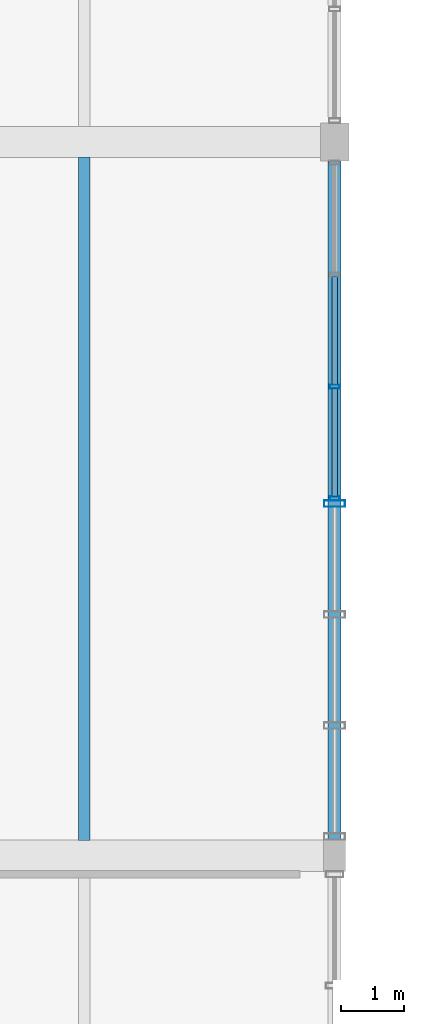
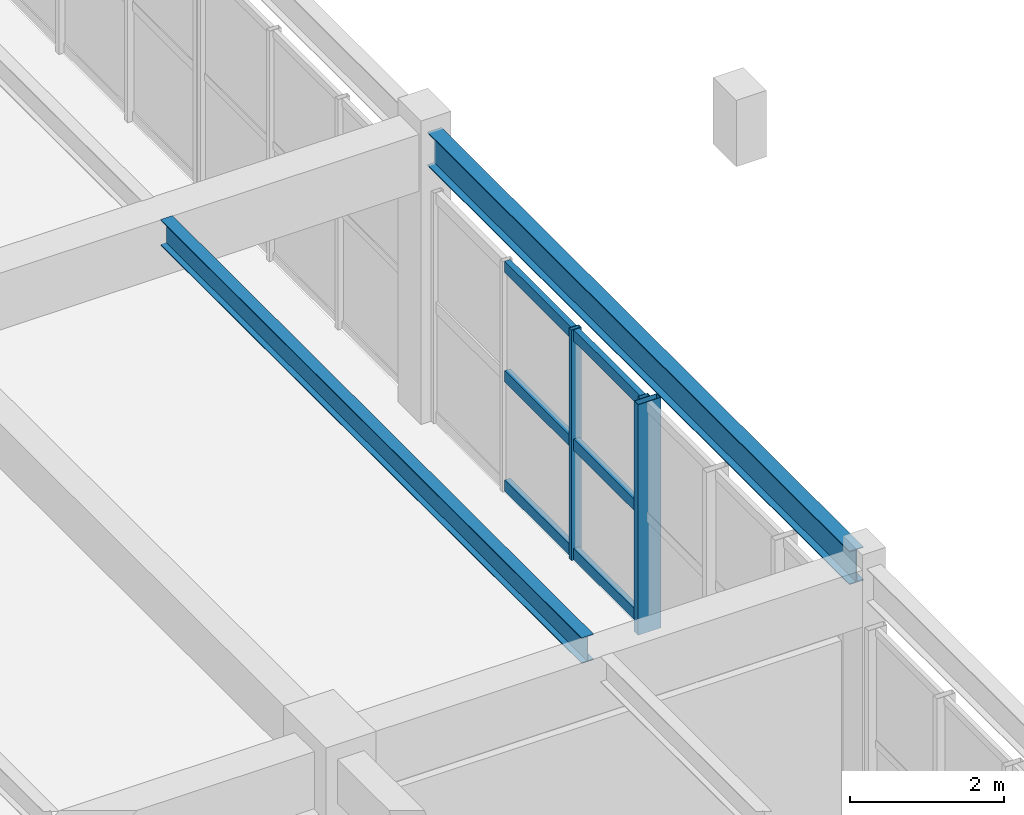
# One storey, part 23 of 106: 9 members, 2 beams, 2 elements without a shape of their own.
"""IFC4 building model written with IfcOpenShell, lengths in metres."""

from ifc_helpers import new_model, si_unit, direction, frame, origin, origin_2d, place, context, subcontext, project, spatial, hollow_rectangle, i_section, extrude, material, layer, layer_set, material_profile, profile_set, type_object, element, aggregate, save


model = new_model("IFC4")

# Units and contexts
model_context = context("Model", 3, precision=1e-05, world=origin(), true_north=direction((0.0, 1.0)))
body_context = subcontext(model_context, "Body", "Model", "MODEL_VIEW")
ifc_project = project(units=[si_unit("LENGTHUNIT", "METRE"), si_unit("AREAUNIT", "SQUARE_METRE"), si_unit("VOLUMEUNIT", "CUBIC_METRE"), si_unit("PLANEANGLEUNIT", "RADIAN"), si_unit("MASSUNIT", "GRAM", prefix="KILO"), si_unit("POWERUNIT", "WATT"), si_unit("THERMODYNAMICTEMPERATUREUNIT", "KELVIN")], contexts=[model_context])

# Site, building, storey
site_placement = place(None, origin())
site = spatial("IfcSite", under=ifc_project, at=site_placement, CompositionType="ELEMENT")
building_placement = place(site_placement, origin())
building = spatial("IfcBuilding", under=site, at=building_placement, Name="Kelmbourne Parkland Aquatics Centre", CompositionType="ELEMENT")
storey_placement = place(building_placement, frame((0.0, 0.0, 5.39990234375)))
storey = spatial("IfcBuildingStorey", under=building, at=storey_placement, Name="L01", CompositionType="ELEMENT", Elevation=5.39990234375)

# Beams
ifc_material_1 = material(Name="Structural steel AS/NZS 3679.1 Grade 300", Category="steel")
ifc_material_profile_1 = material_profile(ifc_material_1, i_section(OverallWidth=0.177978515625, OverallDepth=0.406005859375, WebThickness=0.0078125, FlangeThickness=0.0126953125, at=origin_2d()), Name="410UB59.7")
ifc_profile_set_1 = profile_set([ifc_material_profile_1], Name="Structural steel AS/NZS 3679.1 Grade 300")
beam_type_1 = type_object("IfcBeamType", Name="BM-J01", PredefinedType="JOIST", material=ifc_profile_set_1)
beam_1_placement = place(storey_placement, frame((36.0, 23.842041015625, 4.357177734375), z_axis=(0.0, 1.0, 0.0), x_axis=(-1.0, 0.0, 0.0)))
element("IfcBeam", 1, at=beam_1_placement, inside=storey, type_object=beam_type_1, Name="Secondary floor joist E-F/04-05 #1 (L02)", PredefinedType="JOIST", context=body_context, shape_type="SweptSolid", body=[
    extrude(i_section(OverallWidth=0.177978515625, OverallDepth=0.406005859375, WebThickness=0.0078125, FlangeThickness=0.0126953125, at=origin_2d()), origin(), (0.0, 0.0, 1.0), 10.916015625),
])
ifc_material_profile_2 = material_profile(ifc_material_1, i_section(OverallWidth=0.208984375, OverallDepth=0.532958984375, WebThickness=0.01025390625, FlangeThickness=0.015625, at=origin_2d()), Name="530UB92.4")
ifc_profile_set_2 = profile_set([ifc_material_profile_2], Name="Structural steel AS/NZS 3679.1 Grade 300")
beam_type_2 = type_object("IfcBeamType", Name="BM-SP02", PredefinedType="SPANDREL", material=ifc_profile_set_2)
beam_2_placement = place(storey_placement, frame((40.0, 23.804931640625, 4.293701171875), z_axis=(0.0, 1.0, 0.0), x_axis=(-1.0, 0.0, 0.0)))
element("IfcBeam", 2, at=beam_2_placement, inside=storey, type_object=beam_type_2, Name="Perimeter spandrel 04-05 Grid F (L02)", PredefinedType="SPANDREL", context=body_context, shape_type="SweptSolid", body=[
    extrude(i_section(OverallWidth=0.208984375, OverallDepth=0.532958984375, WebThickness=0.01025390625, FlangeThickness=0.015625, at=origin_2d()), origin(), (0.0, 0.0, 1.0), 10.940185546875),
])

# Curtain wall, members
ifc_material_2 = material(Name="Thermally broken anodised aluminium framing", Category="aluminium")
ifc_layer_1 = layer(ifc_material_2, 0.179931640625)
ifc_layer_set_1 = layer_set([ifc_layer_1], Name="Thermally broken anodised aluminium framing")
curtain_wall_type_1 = type_object("IfcCurtainWallType", Name="CW-14", PredefinedType="NOTDEFINED", material=ifc_layer_set_1)
curtain_wall_1_placement = place(storey_placement, origin())
curtain_wall_1 = element("IfcCurtainWall", 3, at=curtain_wall_1_placement, inside=storey, type_object=curtain_wall_type_1, Name="Facade curtain wall CW-L01-230", PredefinedType="NOTDEFINED")
ifc_material_profile_3 = material_profile(ifc_material_2, hollow_rectangle(XDim=0.06494140625, YDim=0.14990234375, WallThickness=0.00390625, at=origin_2d()), Name="CW-M 65x150")
ifc_profile_set_3 = profile_set([ifc_material_profile_3], Name="Thermally broken anodised aluminium framing")
member_type_1 = type_object("IfcMemberType", Name="MB-MUL-1", PredefinedType="MULLION", material=ifc_profile_set_3)
member_1_placement = place(storey_placement, frame((40.0, 29.3076171875, 0.0), z_axis=(0.0, 0.0, 1.0), x_axis=(0.0, 1.0, 0.0)))
member_1 = element("IfcMember", 4, at=member_1_placement, type_object=member_type_1, Name="CW-L01-230 mullion 0", PredefinedType="MULLION", context=body_context, shape_type="SweptSolid", body=[
    extrude(hollow_rectangle(XDim=0.06494140625, YDim=0.14990234375, WallThickness=0.00390625, at=origin_2d()), origin(), (0.0, 0.0, 1.0), 3.64501953125),
])
member_2_placement = place(storey_placement, frame((40.0, 31.093505859375, 0.0), z_axis=(0.0, 0.0, 1.0), x_axis=(0.0, 1.0, 0.0)))
member_2 = element("IfcMember", 5, at=member_2_placement, type_object=member_type_1, Name="CW-L01-230 mullion 1", PredefinedType="MULLION", context=body_context, shape_type="SweptSolid", body=[
    extrude(hollow_rectangle(XDim=0.06494140625, YDim=0.14990234375, WallThickness=0.00390625, at=origin_2d()), origin(), (0.0, 0.0, 1.0), 3.64501953125),
])

# Curtain wall, member
ifc_layer_2 = layer(ifc_material_2, 0.179931640625)
ifc_layer_set_2 = layer_set([ifc_layer_2], Name="Thermally broken anodised aluminium framing")
curtain_wall_type_2 = type_object("IfcCurtainWallType", Name="CW-13", PredefinedType="NOTDEFINED", material=ifc_layer_set_2)
curtain_wall_2_placement = place(storey_placement, origin())
curtain_wall_2 = element("IfcCurtainWall", 6, at=curtain_wall_2_placement, inside=storey, type_object=curtain_wall_type_2, Name="Facade curtain wall CW-L01-229", PredefinedType="NOTDEFINED")
ifc_material_profile_4 = material_profile(ifc_material_2, hollow_rectangle(XDim=0.10498046875, YDim=0.340087890625, WallThickness=0.006103515625, at=origin_2d()), Name="CW-M 105x340")
ifc_profile_set_4 = profile_set([ifc_material_profile_4], Name="Thermally broken anodised aluminium framing")
member_type_2 = type_object("IfcMemberType", Name="MB-MUL-5", PredefinedType="MULLION", material=ifc_profile_set_4)
member_3_placement = place(storey_placement, frame((40.0, 29.222412109375, 0.0), z_axis=(0.0, 0.0, 1.0), x_axis=(0.0, 1.0, 0.0)))
member_3 = element("IfcMember", 7, at=member_3_placement, type_object=member_type_2, Name="CW-L01-229 mullion 3", PredefinedType="MULLION", context=body_context, shape_type="SweptSolid", body=[
    extrude(hollow_rectangle(XDim=0.10498046875, YDim=0.340087890625, WallThickness=0.006103515625, at=origin_2d()), origin(), (0.0, 0.0, 1.0), 3.64501953125),
])
aggregate(curtain_wall_2, [member_3])

# Member
ifc_material_profile_5 = material_profile(ifc_material_2, hollow_rectangle(XDim=0.0849609375, YDim=0.179931640625, WallThickness=0.00439453125, at=origin_2d()), Name="CW-T 85x180")
ifc_profile_set_5 = profile_set([ifc_material_profile_5], Name="Thermally broken anodised aluminium framing")
member_type_3 = type_object("IfcMemberType", Name="MB-TRN-3", PredefinedType="USERDEFINED", material=ifc_profile_set_5)
member_4_placement = place(storey_placement, frame((40.0, 29.3359375, 0.093017578125), z_axis=(0.0, 1.0, 0.0), x_axis=(-1.0, 0.0, 0.0)))
member_4 = element("IfcMember", 8, at=member_4_placement, type_object=member_type_3, Name="CW-L01-230 transom 0-0", ObjectType="TRANSOM", PredefinedType="USERDEFINED", context=body_context, shape_type="SweptSolid", body=[
    extrude(hollow_rectangle(XDim=0.0849609375, YDim=0.179931640625, WallThickness=0.00439453125, at=origin_2d()), origin(), (0.0, 0.0, 1.0), 1.72900390625),
])

member_5_placement = place(storey_placement, frame((40.0, 31.1220703125, 0.093017578125), z_axis=(0.0, 1.0, 0.0), x_axis=(-1.0, 0.0, 0.0)))
member_5 = element("IfcMember", 9, at=member_5_placement, type_object=member_type_3, Name="CW-L01-230 transom 0-1", ObjectType="TRANSOM", PredefinedType="USERDEFINED", context=body_context, shape_type="SweptSolid", body=[
    extrude(hollow_rectangle(XDim=0.0849609375, YDim=0.179931640625, WallThickness=0.00439453125, at=origin_2d()), origin(), (0.0, 0.0, 1.0), 1.72900390625),
])

member_6_placement = place(storey_placement, frame((40.0, 29.3359375, 1.822509765625), z_axis=(0.0, 1.0, 0.0), x_axis=(-1.0, 0.0, 0.0)))
member_6 = element("IfcMember", 10, at=member_6_placement, type_object=member_type_3, Name="CW-L01-230 transom 1-0", ObjectType="TRANSOM", PredefinedType="USERDEFINED", context=body_context, shape_type="SweptSolid", body=[
    extrude(hollow_rectangle(XDim=0.0849609375, YDim=0.179931640625, WallThickness=0.00439453125, at=origin_2d()), origin(), (0.0, 0.0, 1.0), 1.72900390625),
])

member_7_placement = place(storey_placement, frame((40.0, 31.1220703125, 1.822509765625), z_axis=(0.0, 1.0, 0.0), x_axis=(-1.0, 0.0, 0.0)))
member_7 = element("IfcMember", 11, at=member_7_placement, type_object=member_type_3, Name="CW-L01-230 transom 1-1", ObjectType="TRANSOM", PredefinedType="USERDEFINED", context=body_context, shape_type="SweptSolid", body=[
    extrude(hollow_rectangle(XDim=0.0849609375, YDim=0.179931640625, WallThickness=0.00439453125, at=origin_2d()), origin(), (0.0, 0.0, 1.0), 1.72900390625),
])

member_8_placement = place(storey_placement, frame((40.0, 29.3359375, 3.552001953125), z_axis=(0.0, 1.0, 0.0), x_axis=(-1.0, 0.0, 0.0)))
member_8 = element("IfcMember", 12, at=member_8_placement, type_object=member_type_3, Name="CW-L01-230 transom 2-0", ObjectType="TRANSOM", PredefinedType="USERDEFINED", context=body_context, shape_type="SweptSolid", body=[
    extrude(hollow_rectangle(XDim=0.0849609375, YDim=0.179931640625, WallThickness=0.00439453125, at=origin_2d()), origin(), (0.0, 0.0, 1.0), 1.72900390625),
])

member_9_placement = place(storey_placement, frame((40.0, 31.1220703125, 3.552001953125), z_axis=(0.0, 1.0, 0.0), x_axis=(-1.0, 0.0, 0.0)))
member_9 = element("IfcMember", 13, at=member_9_placement, type_object=member_type_3, Name="CW-L01-230 transom 2-1", ObjectType="TRANSOM", PredefinedType="USERDEFINED", context=body_context, shape_type="SweptSolid", body=[
    extrude(hollow_rectangle(XDim=0.0849609375, YDim=0.179931640625, WallThickness=0.00439453125, at=origin_2d()), origin(), (0.0, 0.0, 1.0), 1.72900390625),
])

aggregate(curtain_wall_1, [member_1, member_2, member_4, member_5, member_6, member_7, member_8, member_9])

save(model, "model.ifc")
